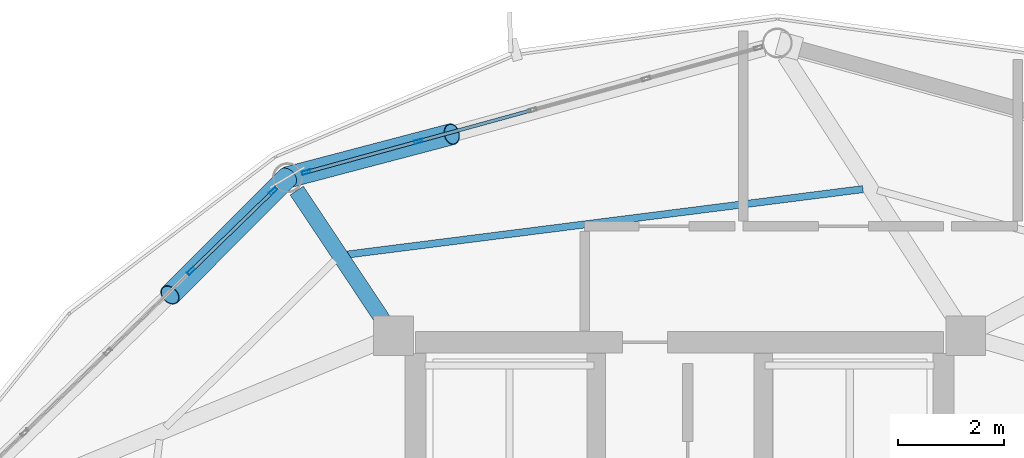
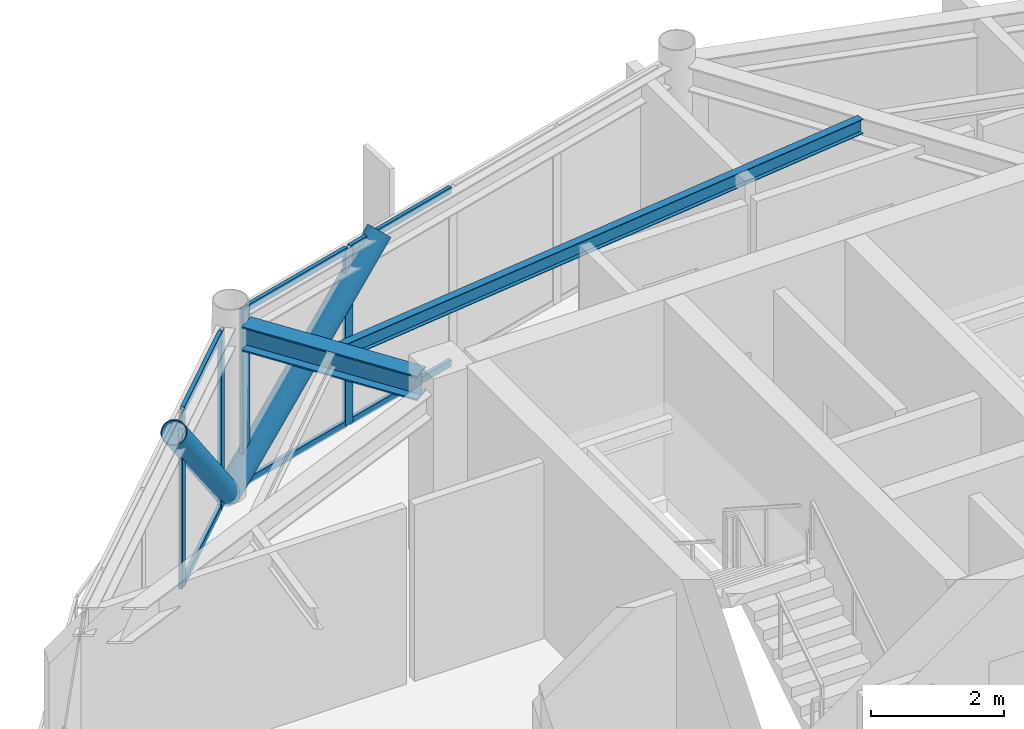
# One storey, part 18 of 28: 12 members, 2 beams, 2 elements without a shape of their own.
"""IFC4 building model written with IfcOpenShell, lengths in metres."""

from ifc_helpers import new_model, si_unit, direction, frame, origin, origin_2d, place, context, subcontext, project, spatial, hollow_rectangle, hollow_circle, i_section, extrude, material, layer, layer_set, material_profile, profile_set, type_object, element, aggregate, save


model = new_model("IFC4")

# Units and contexts
model_context = context("Model", 3, precision=1e-05, world=origin(), true_north=direction((0.0, 1.0)))
body_context = subcontext(model_context, "Body", "Model", "MODEL_VIEW")
ifc_project = project(units=[si_unit("LENGTHUNIT", "METRE"), si_unit("AREAUNIT", "SQUARE_METRE"), si_unit("VOLUMEUNIT", "CUBIC_METRE"), si_unit("PLANEANGLEUNIT", "RADIAN"), si_unit("MASSUNIT", "GRAM", prefix="KILO")], contexts=[model_context])

# Site, building, storey
site_placement = place(None, origin())
site = spatial("IfcSite", under=ifc_project, at=site_placement, CompositionType="ELEMENT")
building_placement = place(site_placement, origin())
building = spatial("IfcBuilding", under=site, at=building_placement, Name="Varnakorn Sky Granary", CompositionType="ELEMENT")
storey_placement = place(building_placement, frame((0.0, 0.0, 236.39990234375)))
storey = spatial("IfcBuildingStorey", under=building, at=storey_placement, Name="L60", CompositionType="ELEMENT", Elevation=236.39990234375)

# Beams
ifc_material_1 = material(Name="Steel S355JR", Category="steel")
ifc_material_profile_1 = material_profile(ifc_material_1, i_section(OverallWidth=0.300048828125, OverallDepth=0.449951171875, WebThickness=0.013916015625, FlangeThickness=0.02587890625, at=origin_2d()), Name="HE 450 B")
ifc_profile_set_1 = profile_set([ifc_material_profile_1], Name="Steel S355JR")
beam_type_1 = type_object("IfcBeamType", Name="BM-RAD-Z5", PredefinedType="BEAM", material=ifc_profile_set_1)
beam_1_placement = place(storey_placement, frame((-2.61669921875, 12.91552734375, 3.025146484375), z_axis=(-0.553936333811, 0.83255902979, 0.0), x_axis=(-0.83255902979, -0.553936333811, 0.0)))
element("IfcBeam", 1, at=beam_1_placement, inside=storey, type_object=beam_type_1, Name="Radial Floor Girder RG05 L60", PredefinedType="BEAM", context=body_context, shape_type="SweptSolid", body=[
    extrude(i_section(OverallWidth=0.300048828125, OverallDepth=0.449951171875, WebThickness=0.013916015625, FlangeThickness=0.02587890625, at=origin_2d()), origin(), (0.0, 0.0, 1.0), 2.951171875),
])
ifc_material_profile_2 = material_profile(ifc_material_1, i_section(OverallWidth=0.135009765625, OverallDepth=0.27001953125, WebThickness=0.006591796875, FlangeThickness=0.01025390625, at=origin_2d()), Name="IPE 270")
ifc_profile_set_2 = profile_set([ifc_material_profile_2], Name="Steel S355JR")
beam_type_2 = type_object("IfcBeamType", Name="BM-SEC-Z5", PredefinedType="BEAM", material=ifc_profile_set_2)
beam_2_placement = place(storey_placement, frame((6.471435546875, 15.400390625, 3.114990234375), z_axis=(-0.992051919833, -0.125829203111, 0.0), x_axis=(0.125829203111, -0.992051919833, 0.0)))
element("IfcBeam", 2, at=beam_2_placement, inside=storey, type_object=beam_type_2, Name="Secondary Floor Chord Beam MSB04 L60", PredefinedType="BEAM", context=body_context, shape_type="SweptSolid", body=[
    extrude(i_section(OverallWidth=0.135009765625, OverallDepth=0.27001953125, WebThickness=0.006591796875, FlangeThickness=0.01025390625, at=origin_2d()), origin(), (0.0, 0.0, 1.0), 9.844970703125),
])

# Curtain wall, members
ifc_material_2 = material(Name="Anodised Bronze Aluminium Alloy 6063-T6", Category="aluminium")
ifc_layer = layer(ifc_material_2, 0.159912109375, Name="Anodised Bronze Aluminium Alloy 6063-T6")
ifc_layer_set = layer_set([ifc_layer], Name="Anodised Bronze Aluminium Alloy 6063-T6")
curtain_wall_type = type_object("IfcCurtainWallType", Name="CW-OFF-1", PredefinedType="USERDEFINED", material=ifc_layer_set)
curtain_wall_1_placement = place(storey_placement, origin())
curtain_wall_1 = element("IfcCurtainWall", 3, at=curtain_wall_1_placement, inside=storey, type_object=curtain_wall_type, Name="Unitised Curtain Wall CW6 CW-L60-B04", ObjectType="CURTAIN WALL", PredefinedType="USERDEFINED")
ifc_material_profile_3 = material_profile(ifc_material_2, hollow_rectangle(XDim=0.06494140625, YDim=0.159912109375, WallThickness=0.00341796875, at=origin_2d()), Name="ALU MULL 65x160")
ifc_profile_set_3 = profile_set([ifc_material_profile_3], Name="Anodised Bronze Aluminium Alloy 6063-T6")
member_type_1 = type_object("IfcMemberType", Name="CW-OFF-1-MULL", PredefinedType="MULLION", material=ifc_profile_set_3)
member_1_placement = place(storey_placement, frame((-4.07275390625, 15.720703125, 0.0), z_axis=(0.0, 0.0, 1.0), x_axis=(-0.265100109625, 0.964220893715, 0.0)))
member_1 = element("IfcMember", 4, at=member_1_placement, type_object=member_type_1, Name="CW6 mullion 1", PredefinedType="MULLION", context=body_context, shape_type="SweptSolid", body=[
    extrude(hollow_rectangle(XDim=0.06494140625, YDim=0.159912109375, WallThickness=0.00341796875, at=origin_2d()), origin(), (0.0, 0.0, 1.0), 3.25),
])
member_2_placement = place(storey_placement, frame((-1.947509765625, 16.30517578125, 0.0), z_axis=(0.0, 0.0, 1.0), x_axis=(-0.265100109625, 0.964220893715, 0.0)))
member_2 = element("IfcMember", 5, at=member_2_placement, type_object=member_type_1, Name="CW6 mullion 2", PredefinedType="MULLION", context=body_context, shape_type="SweptSolid", body=[
    extrude(hollow_rectangle(XDim=0.06494140625, YDim=0.159912109375, WallThickness=0.00341796875, at=origin_2d()), origin(), (0.0, 0.0, 1.0), 3.25),
])

curtain_wall_2_placement = place(storey_placement, origin())
curtain_wall_2 = element("IfcCurtainWall", 6, at=curtain_wall_2_placement, inside=storey, type_object=curtain_wall_type, Name="Unitised Curtain Wall CW6 CW-L60-B05", ObjectType="CURTAIN WALL", PredefinedType="USERDEFINED")
member_3_placement = place(storey_placement, frame((-6.251953125, 13.853271484375, 0.0), z_axis=(0.0, 0.0, 1.0), x_axis=(-0.69691520137, 0.717153541509, 0.0)))
member_3 = element("IfcMember", 7, at=member_3_placement, type_object=member_type_1, Name="CW6 mullion 4", PredefinedType="MULLION", context=body_context, shape_type="SweptSolid", body=[
    extrude(hollow_rectangle(XDim=0.06494140625, YDim=0.159912109375, WallThickness=0.00341796875, at=origin_2d()), origin(), (0.0, 0.0, 1.0), 3.25),
])
member_4_placement = place(storey_placement, frame((-4.6982421875, 15.363037109375, 0.0), z_axis=(0.0, 0.0, 1.0), x_axis=(-0.69691520137, 0.717153541509, 0.0)))
member_4 = element("IfcMember", 8, at=member_4_placement, type_object=member_type_1, Name="CW6 mullion 5", PredefinedType="MULLION", context=body_context, shape_type="SweptSolid", body=[
    extrude(hollow_rectangle(XDim=0.06494140625, YDim=0.159912109375, WallThickness=0.00341796875, at=origin_2d()), origin(), (0.0, 0.0, 1.0), 3.25),
])

# Member
ifc_material_profile_4 = material_profile(ifc_material_2, hollow_rectangle(XDim=0.06494140625, YDim=0.1201171875, WallThickness=0.00341796875, at=origin_2d()), Name="ALU TRAN 65x120")
ifc_profile_set_4 = profile_set([ifc_material_profile_4], Name="Anodised Bronze Aluminium Alloy 6063-T6")
member_type_2 = type_object("IfcMemberType", Name="CW-OFF-1-TRAN", PredefinedType="USERDEFINED", material=ifc_profile_set_4)
member_5_placement = place(storey_placement, frame((-4.04150390625, 15.7294921875, 0.03271484375), z_axis=(0.964219250615, 0.26510608583, 0.0), x_axis=(-0.26510608583, 0.964219250615, 0.0)))
member_5 = element("IfcMember", 9, at=member_5_placement, type_object=member_type_2, Name="CW6 transom 1.1", ObjectType="TRANSOM", PredefinedType="USERDEFINED", context=body_context, shape_type="SweptSolid", body=[
    extrude(hollow_rectangle(XDim=0.06494140625, YDim=0.1201171875, WallThickness=0.00341796875, at=origin_2d()), origin(), (0.0, 0.0, 1.0), 2.139404296875),
])

member_6_placement = place(storey_placement, frame((-4.04150390625, 15.7294921875, 3.217529296875), z_axis=(0.964219250615, 0.26510608583, 0.0), x_axis=(-0.26510608583, 0.964219250615, 0.0)))
member_6 = element("IfcMember", 10, at=member_6_placement, type_object=member_type_2, Name="CW6 transom 1.2", ObjectType="TRANSOM", PredefinedType="USERDEFINED", context=body_context, shape_type="SweptSolid", body=[
    extrude(hollow_rectangle(XDim=0.06494140625, YDim=0.1201171875, WallThickness=0.00341796875, at=origin_2d()), origin(), (0.0, 0.0, 1.0), 2.139404296875),
])

member_7_placement = place(storey_placement, frame((-1.916015625, 16.313720703125, 0.03271484375), z_axis=(0.96422479097, 0.265085934139, 0.0), x_axis=(-0.265085934139, 0.96422479097, 0.0)))
member_7 = element("IfcMember", 11, at=member_7_placement, type_object=member_type_2, Name="CW6 transom 2.1", ObjectType="TRANSOM", PredefinedType="USERDEFINED", context=body_context, shape_type="SweptSolid", body=[
    extrude(hollow_rectangle(XDim=0.06494140625, YDim=0.1201171875, WallThickness=0.00341796875, at=origin_2d()), origin(), (0.0, 0.0, 1.0), 2.171630859375),
])

member_8_placement = place(storey_placement, frame((-1.916015625, 16.313720703125, 3.217529296875), z_axis=(0.96422479097, 0.265085934139, 0.0), x_axis=(-0.265085934139, 0.96422479097, 0.0)))
member_8 = element("IfcMember", 12, at=member_8_placement, type_object=member_type_2, Name="CW6 transom 2.2", ObjectType="TRANSOM", PredefinedType="USERDEFINED", context=body_context, shape_type="SweptSolid", body=[
    extrude(hollow_rectangle(XDim=0.06494140625, YDim=0.1201171875, WallThickness=0.00341796875, at=origin_2d()), origin(), (0.0, 0.0, 1.0), 2.171630859375),
])

aggregate(curtain_wall_1, [member_1, member_2, member_5, member_6, member_7, member_8])

member_9_placement = place(storey_placement, frame((-6.228515625, 13.8759765625, 0.03271484375), z_axis=(0.717143312529, 0.696925727244, 0.0), x_axis=(-0.696925727244, 0.717143312529, 0.0)))
member_9 = element("IfcMember", 13, at=member_9_placement, type_object=member_type_2, Name="CW6 transom 4.1", ObjectType="TRANSOM", PredefinedType="USERDEFINED", context=body_context, shape_type="SweptSolid", body=[
    extrude(hollow_rectangle(XDim=0.06494140625, YDim=0.1201171875, WallThickness=0.00341796875, at=origin_2d()), origin(), (0.0, 0.0, 1.0), 2.10107421875),
])

member_10_placement = place(storey_placement, frame((-6.228515625, 13.8759765625, 3.217529296875), z_axis=(0.717143312529, 0.696925727244, 0.0), x_axis=(-0.696925727244, 0.717143312529, 0.0)))
member_10 = element("IfcMember", 14, at=member_10_placement, type_object=member_type_2, Name="CW6 transom 4.2", ObjectType="TRANSOM", PredefinedType="USERDEFINED", context=body_context, shape_type="SweptSolid", body=[
    extrude(hollow_rectangle(XDim=0.06494140625, YDim=0.1201171875, WallThickness=0.00341796875, at=origin_2d()), origin(), (0.0, 0.0, 1.0), 2.10107421875),
])

aggregate(curtain_wall_2, [member_3, member_4, member_9, member_10])

# Members
ifc_material_3 = material(Name="Steel S460M", Category="steel")
ifc_material_profile_5 = material_profile(ifc_material_3, hollow_circle(Radius=0.203125, WallThickness=0.01611328125, at=origin_2d()), Name="CHS 406.4x16")
ifc_profile_set_5 = profile_set([ifc_material_profile_5], Name="Steel S460M")
member_type_3 = type_object("IfcMemberType", Name="MB-DIAG-T4", PredefinedType="BRACE", material=ifc_profile_set_5)
member_11_placement = place(storey_placement, frame((-4.431396484375, 15.622314453125, 0.0), z_axis=(0.680905513276, 0.179081777504, 0.710138999743), x_axis=(-0.254355303555, 0.9671108414, 0.0)))
element("IfcMember", 15, at=member_11_placement, inside=storey, type_object=member_type_3, Name="Perimeter CHS Diagrid Brace DG04 L60", PredefinedType="BRACE", context=body_context, shape_type="SweptSolid", body=[
    extrude(hollow_circle(Radius=0.203125, WallThickness=0.01611328125, at=origin_2d()), origin(), (0.0, 0.0, 1.0), 4.57666015625),
])
member_12_placement = place(storey_placement, frame((-4.431396484375, 15.622314453125, 0.0), z_axis=(-0.491514762625, -0.492162415765, 0.718463217312), x_axis=(0.70757218699, -0.706641068859, 0.0)))
element("IfcMember", 16, at=member_12_placement, inside=storey, type_object=member_type_3, Name="Perimeter CHS Diagrid Brace DG05 L60", PredefinedType="BRACE", context=body_context, shape_type="SweptSolid", body=[
    extrude(hollow_circle(Radius=0.203125, WallThickness=0.01611328125, at=origin_2d()), origin(), (0.0, 0.0, 1.0), 4.5234375),
])

save(model, "model.ifc")
